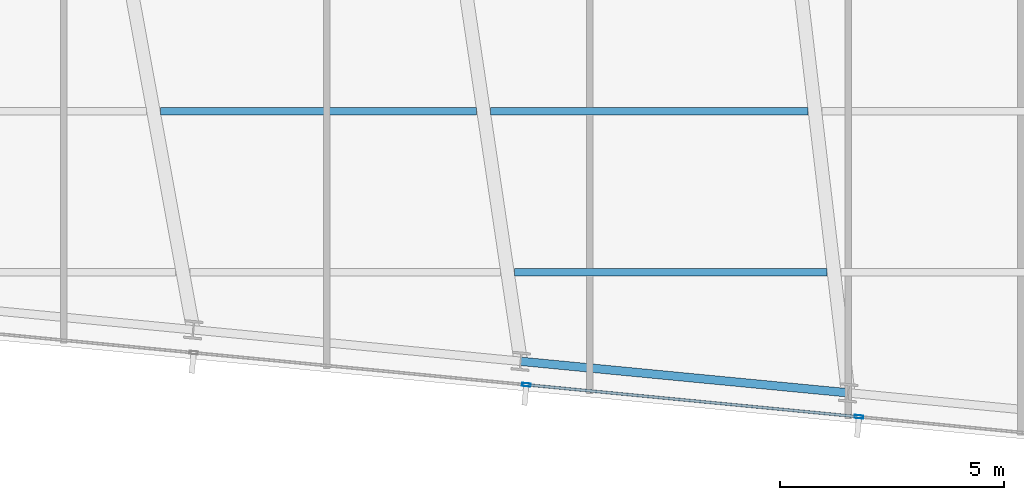
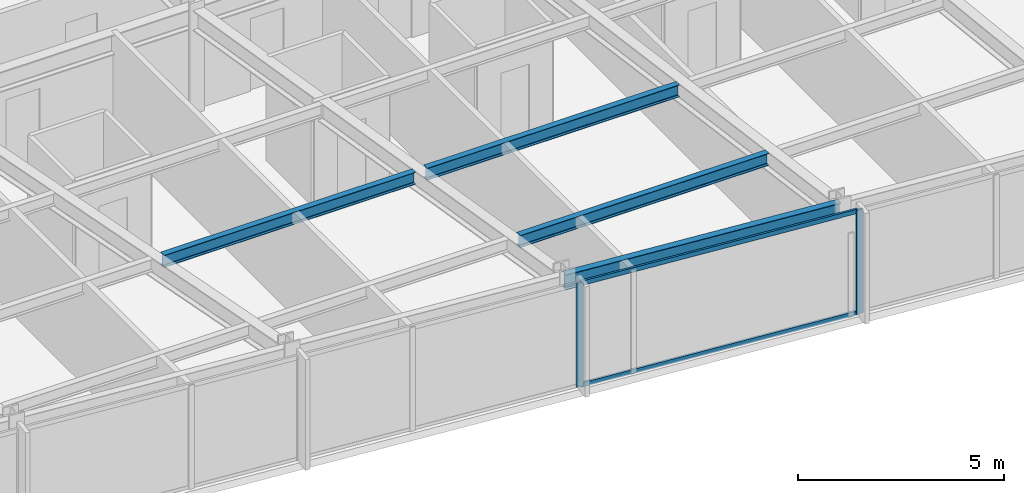
# One storey, part 12 of 38: 4 beams, 4 members, 1 element without a shape of its own.
"""IFC4 building model written with IfcOpenShell, lengths in metres."""

import ifcopenshell
import ifcopenshell.guid

model = None  # the IFC model being written
_history = None  # IfcOwnerHistory: only IFC2X3 demands one
_inside = {}  # id of a spatial element -> (the spatial element, [elements in it])
_under = {}  # id of a project, library or spatial element -> (it, [spatial elements below it])
_declared = {}  # id of a project -> (the project, [libraries it declares])
_typed = {}  # id of a type object -> (the type object, [elements of that type])
_made_of = {}  # id of a material, layer set ... -> (it, [elements and type objects made of it])


def new_model(schema):
    """Start an empty IFC model of exactly this schema.

    Asked for "IFC4X3", IfcOpenShell would pick the latest addendum, in which some entities
    have other attributes; the version numbers below select the first issue.
    IFC2X3 requires an IfcOwnerHistory on every rooted entity: one is made here for all.
    """
    global model, _history
    if schema == "IFC4X3":
        model = ifcopenshell.file(schema_version=(4, 3, 0, 0))
    else:
        model = ifcopenshell.file(schema=schema)
    _inside.clear()
    _under.clear()
    _declared.clear()
    _typed.clear()
    _made_of.clear()
    _history = None
    if model.schema == "IFC2X3":
        org = make("IfcOrganization", Name="unknown")
        user = make(
            "IfcPersonAndOrganization",
            ThePerson=make("IfcPerson", FamilyName="unknown"),
            TheOrganization=org,
        )
        app = make(
            "IfcApplication",
            ApplicationDeveloper=org,
            Version="unknown",
            ApplicationFullName="unknown",
            ApplicationIdentifier="unknown",
        )
        _history = make(
            "IfcOwnerHistory",
            OwningUser=user,
            OwningApplication=app,
            ChangeAction="ADDED",
            CreationDate=0,
        )
    return model


def make(cls, **values):
    """One entity of the class cls with the attributes given. An attribute that is None is left unset."""
    return model.create_entity(
        cls, **{name: value for name, value in values.items() if value is not None}
    )


def rooted(cls, **values):
    """An entity with a GlobalId (a new one), such as an element, a storey or a relation."""
    return make(cls, GlobalId=ifcopenshell.guid.new(), OwnerHistory=_history, **values)


def si_unit(unit_type, name, prefix=None):
    """IfcSIUnit, for example si_unit("LENGTHUNIT", "METRE", prefix="MILLI")."""
    return make("IfcSIUnit", UnitType=unit_type, Prefix=prefix, Name=name)


def assignment(units):
    """IfcUnitAssignment: the units of a project."""
    return None if units is None else make("IfcUnitAssignment", Units=units)


def point(xyz):
    """IfcCartesianPoint."""
    return None if xyz is None else make("IfcCartesianPoint", Coordinates=xyz)


def direction(xyz):
    """IfcDirection."""
    return None if xyz is None else make("IfcDirection", DirectionRatios=xyz)


def frame(location, z_axis=None, x_axis=None):
    """IfcAxis2Placement3D, a coordinate frame: its origin and axes. An axis left out is left unset."""
    return make(
        "IfcAxis2Placement3D",
        Location=point(location),
        Axis=direction(z_axis),
        RefDirection=direction(x_axis),
    )


def frame_2d(location, x_axis=None):
    """IfcAxis2Placement2D, a coordinate frame in the plane: its origin and x axis."""
    return make(
        "IfcAxis2Placement2D", Location=point(location), RefDirection=direction(x_axis)
    )


def origin():
    """The frame at (0, 0, 0) with its axes left unset."""
    return frame((0.0, 0.0, 0.0))


def origin_2d():
    """The frame at (0, 0) in the plane with its x axis left unset."""
    return frame_2d((0.0, 0.0))


def place(relative_to, where):
    """IfcLocalPlacement: puts the frame where relative to a parent placement (None: the world)."""
    return make(
        "IfcLocalPlacement", PlacementRelTo=relative_to, RelativePlacement=where
    )


def context(
    kind, dimensions, precision=None, world=None, true_north=None, identifier=None
):
    """IfcGeometricRepresentationContext, for example the 3D "Model" context."""
    return make(
        "IfcGeometricRepresentationContext",
        ContextIdentifier=identifier,
        ContextType=kind,
        CoordinateSpaceDimension=dimensions,
        Precision=precision,
        WorldCoordinateSystem=world,
        TrueNorth=true_north,
    )


def subcontext(parent, identifier, kind, view, scale=None):
    """IfcGeometricRepresentationSubContext, for example "Body" below "Model"."""
    return make(
        "IfcGeometricRepresentationSubContext",
        ContextIdentifier=identifier,
        ContextType=kind,
        ParentContext=parent,
        TargetScale=scale,
        TargetView=view,
    )


def project(units=None, contexts=None):
    """IfcProject with its units and contexts."""
    return rooted(
        "IfcProject",
        Name="project",
        RepresentationContexts=contexts,
        UnitsInContext=assignment(units),
    )


def spatial(cls, under=None, at=None, **own):
    """A site, building, storey or space (cls), placed at a placement, below another one or the project."""
    s = rooted(cls, ObjectPlacement=at, **own)
    if under is not None:
        _under.setdefault(under.id(), (under, []))[1].append(s)
    return s


def profile(cls, at=None, kind="AREA", **sizes):
    """A parametric profile (cls). Its sizes go by their IFC names, for example OverallWidth=200.0."""
    return make(cls, ProfileType=kind, Position=at, **sizes)


def hollow_rectangle(**sizes):
    """IfcRectangleHollowProfileDef."""
    return profile("IfcRectangleHollowProfileDef", **sizes)


def i_section(**sizes):
    """IfcIShapeProfileDef."""
    return profile("IfcIShapeProfileDef", **sizes)


def extrude(swept, where, along, depth):
    """IfcExtrudedAreaSolid: the profile swept, set in the frame where, extruded along a direction by depth."""
    return make(
        "IfcExtrudedAreaSolid",
        SweptArea=swept,
        Position=where,
        ExtrudedDirection=direction(along),
        Depth=depth,
    )


def shape(context_of_items, identifier, shape_type, items):
    """IfcShapeRepresentation: the items that make up one representation, for example the "Body"."""
    return make(
        "IfcShapeRepresentation",
        ContextOfItems=context_of_items,
        RepresentationIdentifier=identifier,
        RepresentationType=shape_type,
        Items=items,
    )


def material(Name=None, Category=None):
    """IfcMaterial."""
    return make("IfcMaterial", Name=Name, Category=Category)


def material_profile(
    of_material, cross_section, Name=None, Category=None, Priority=None
):
    """IfcMaterialProfile: a cross section and its material."""
    return make(
        "IfcMaterialProfile",
        Name=Name,
        Material=of_material,
        Profile=cross_section,
        Priority=Priority,
        Category=Category,
    )


def profile_set(profiles, Name=None, composite=None):
    """IfcMaterialProfileSet."""
    return make(
        "IfcMaterialProfileSet",
        Name=Name,
        MaterialProfiles=profiles,
        CompositeProfile=composite,
    )


def made_of(thing, what):
    """Note that an element or type object is made of a material, layer set ...; save() writes the relation."""
    if what is not None:
        _made_of.setdefault(what.id(), (what, []))[1].append(thing)
    return thing


def type_object(cls, material=None, **own):
    """A type object (cls), such as IfcWallType, which elements share."""
    return made_of(rooted(cls, **own), material)


def element(
    cls,
    number,
    at=None,
    inside=None,
    cuts=None,
    type_object=None,
    material=None,
    context=None,
    identifier="Body",
    shape_type=None,
    held_by="IfcProductDefinitionShape",
    body=None,
    shapes=None,
    **own,
):
    """One element of the class cls, such as IfcWall. Its Tag is "e" and its number.

    at: its placement. inside: the storey or other place that contains it. cuts: it is an
    opening in that element (IfcRelVoidsElement). A single representation is given by context,
    identifier, shape_type and body (its items); several are given by shapes. held_by: the class
    of the entity that holds the representations. save() writes the other relations.
    """
    e = rooted(cls, Tag="e%d" % number, ObjectPlacement=at, **own)
    if body is not None:
        shapes = [shape(context, identifier, shape_type, body)]
    if shapes is not None:
        e.Representation = make(held_by, Representations=shapes)
    if inside is not None:
        _inside.setdefault(inside.id(), (inside, []))[1].append(e)
    if cuts is not None:
        rooted(
            "IfcRelVoidsElement", RelatingBuildingElement=cuts, RelatedOpeningElement=e
        )
    if type_object is not None:
        _typed.setdefault(type_object.id(), (type_object, []))[1].append(e)
    return made_of(e, material)


def aggregate(whole, parts):
    """IfcRelAggregates: a whole, such as a stair, and the parts it consists of."""
    return rooted("IfcRelAggregates", RelatingObject=whole, RelatedObjects=parts)


def save(model, path):
    """Write the relations noted so far, then the file.

    IfcRelAggregates (storeys below a building ...), IfcRelContainedInSpatialStructure (elements
    in a storey), IfcRelDefinesByType, IfcRelAssociatesMaterial and IfcRelDeclares: one each for
    every whole, place, type object, material and project.
    """
    for whole, parts in _under.values():
        aggregate(whole, parts)
    for where, things in _inside.values():
        rooted(
            "IfcRelContainedInSpatialStructure",
            RelatedElements=things,
            RelatingStructure=where,
        )
    for kind, things in _typed.values():
        rooted("IfcRelDefinesByType", RelatedObjects=things, RelatingType=kind)
    for what, things in _made_of.values():
        rooted("IfcRelAssociatesMaterial", RelatedObjects=things, RelatingMaterial=what)
    for by, libraries in _declared.values():
        rooted("IfcRelDeclares", RelatingContext=by, RelatedDefinitions=libraries)
    model.write(path)


model = new_model("IFC4")

# Units and contexts
model_context = context("Model", 3, precision=1e-05, world=origin(), true_north=direction((0.0, 1.0)))
body_context = subcontext(model_context, "Body", "Model", "MODEL_VIEW")
ifc_project = project(units=[si_unit("LENGTHUNIT", "METRE"), si_unit("AREAUNIT", "SQUARE_METRE"), si_unit("VOLUMEUNIT", "CUBIC_METRE"), si_unit("PLANEANGLEUNIT", "RADIAN"), si_unit("MASSUNIT", "GRAM", prefix="KILO")], contexts=[model_context])

# Site, building, storey
site_placement = place(None, origin())
site = spatial("IfcSite", under=ifc_project, at=site_placement, CompositionType="ELEMENT")
building_placement = place(site_placement, origin())
building = spatial("IfcBuilding", under=site, at=building_placement, Name="Yelkora Congress Tower", CompositionType="ELEMENT")
storey_placement = place(building_placement, frame((0.0, 0.0, 155.60009765625)))
storey = spatial("IfcBuildingStorey", under=building, at=storey_placement, Name="L42", CompositionType="ELEMENT", Elevation=155.60009765625)

# Beams
ifc_material_1 = material(Name="Steel S355J2", Category="steel")
ifc_material_profile_1 = material_profile(ifc_material_1, i_section(OverallWidth=0.169921875, OverallDepth=0.360107421875, WebThickness=0.008056640625, FlangeThickness=0.0126953125, FilletRadius=0.01806640625, at=origin_2d()), Name="IPE 360")
ifc_profile_set_1 = profile_set([ifc_material_profile_1], Name="Steel S355J2")
beam_type_1 = type_object("IfcBeamType", Name="BM-JOIST-IPE360", PredefinedType="JOIST", material=ifc_profile_set_1)
beam_1_placement = place(storey_placement, frame((40.39990234375, 12.8212890625, 2.89990234375), z_axis=(1.0, 0.0, 0.0), x_axis=(0.0, 1.0, 0.0)))
element("IfcBeam", 1, at=beam_1_placement, inside=storey, type_object=beam_type_1, Name="L42 Composite Floor Joist 3", PredefinedType="JOIST", context=body_context, shape_type="SweptSolid", body=[
    extrude(i_section(OverallWidth=0.169921875, OverallDepth=0.360107421875, WebThickness=0.008056640625, FlangeThickness=0.0126953125, FilletRadius=0.01806640625, at=origin_2d()), origin(), (0.0, 0.0, 1.0), 6.98095703125),
])
beam_2_placement = place(storey_placement, frame((32.481201171875, 16.421142578125, 2.89990234375), z_axis=(1.0, 0.0, 0.0), x_axis=(0.0, 1.0, 0.0)))
element("IfcBeam", 2, at=beam_2_placement, inside=storey, type_object=beam_type_1, Name="L42 Composite Floor Joist 9", PredefinedType="JOIST", context=body_context, shape_type="SweptSolid", body=[
    extrude(i_section(OverallWidth=0.169921875, OverallDepth=0.360107421875, WebThickness=0.008056640625, FlangeThickness=0.0126953125, FilletRadius=0.01806640625, at=origin_2d()), origin(), (0.0, 0.0, 1.0), 7.063720703125),
])
beam_3_placement = place(storey_placement, frame((39.86474609375, 16.421142578125, 2.89990234375), z_axis=(1.0, 0.0, 0.0), x_axis=(0.0, 1.0, 0.0)))
element("IfcBeam", 3, at=beam_3_placement, inside=storey, type_object=beam_type_1, Name="L42 Composite Floor Joist 10", PredefinedType="JOIST", context=body_context, shape_type="SweptSolid", body=[
    extrude(i_section(OverallWidth=0.169921875, OverallDepth=0.360107421875, WebThickness=0.008056640625, FlangeThickness=0.0126953125, FilletRadius=0.01806640625, at=origin_2d()), origin(), (0.0, 0.0, 1.0), 7.09130859375),
])
ifc_material_profile_2 = material_profile(ifc_material_1, i_section(OverallWidth=0.18994140625, OverallDepth=0.449951171875, WebThickness=0.009521484375, FlangeThickness=0.0146484375, FilletRadius=0.02099609375, at=origin_2d()), Name="IPE 450")
ifc_profile_set_2 = profile_set([ifc_material_profile_2], Name="Steel S355J2")
beam_type_2 = type_object("IfcBeamType", Name="BM-SPAN-IPE450", PredefinedType="SPANDREL", material=ifc_profile_set_2)
beam_4_placement = place(storey_placement, frame((40.53564453125, 10.83154296875, 2.85498046875), z_axis=(0.995397104697, -0.095836339457, 0.0), x_axis=(0.095836339457, 0.995397104697, 0.0)))
element("IfcBeam", 4, at=beam_4_placement, inside=storey, type_object=beam_type_2, Name="L42 Perimeter Beam 7", PredefinedType="SPANDREL", context=body_context, shape_type="SweptSolid", body=[
    extrude(i_section(OverallWidth=0.18994140625, OverallDepth=0.449951171875, WebThickness=0.009521484375, FlangeThickness=0.0146484375, FilletRadius=0.02099609375, at=origin_2d()), origin(), (0.0, 0.0, 1.0), 7.357177734375),
])

# Curtain wall, members
ifc_material_2 = material(Name="Anodised aluminium and insulated glass", Category="aluminium")
curtain_wall_type = type_object("IfcCurtainWallType", Name="CW-SYS-B3", PredefinedType="NOTDEFINED", material=ifc_material_2)
curtain_wall_placement = place(storey_placement, origin())
curtain_wall = element("IfcCurtainWall", 5, at=curtain_wall_placement, inside=storey, type_object=curtain_wall_type, Name="L42 Unitised Curtain Wall 20", PredefinedType="NOTDEFINED")
ifc_material_3 = material(Name="Anodised aluminium 6063-T6", Category="aluminium")
ifc_material_profile_3 = material_profile(ifc_material_3, hollow_rectangle(XDim=0.070068359375, YDim=0.18994140625, WallThickness=0.00390625, at=origin_2d()), Name="ALU 70x190x4")
ifc_profile_set_3 = profile_set([ifc_material_profile_3], Name="Anodised aluminium 6063-T6")
member_type_1 = type_object("IfcMemberType", Name="MEM-ML-B3", PredefinedType="MULLION", material=ifc_profile_set_3)
member_1_placement = place(storey_placement, frame((48.1015625, 9.590576171875, 0.0), z_axis=(0.0, 0.0, 1.0), x_axis=(-0.095844680679, -0.995396301573, 0.0)))
member_1 = element("IfcMember", 6, at=member_1_placement, type_object=member_type_1, Name="CW-B3 mullion 2", PredefinedType="MULLION", context=body_context, shape_type="SweptSolid", body=[
    extrude(hollow_rectangle(XDim=0.070068359375, YDim=0.18994140625, WallThickness=0.00390625, at=origin_2d()), origin(), (0.0, 0.0, 1.0), 3.079833984375),
])
member_2_placement = place(storey_placement, frame((40.66162109375, 10.30712890625, 0.0), z_axis=(0.0, 0.0, 1.0), x_axis=(-0.095844680679, -0.995396301573, 0.0)))
member_2 = element("IfcMember", 7, at=member_2_placement, type_object=member_type_1, Name="CW-B3 mullion 3", PredefinedType="MULLION", context=body_context, shape_type="SweptSolid", body=[
    extrude(hollow_rectangle(XDim=0.070068359375, YDim=0.18994140625, WallThickness=0.00390625, at=origin_2d()), origin(), (0.0, 0.0, 1.0), 3.079833984375),
])
ifc_material_profile_4 = material_profile(ifc_material_3, hollow_rectangle(XDim=0.06005859375, YDim=0.1298828125, WallThickness=0.00390625, at=origin_2d()), Name="ALU 60x130x4")
ifc_profile_set_4 = profile_set([ifc_material_profile_4], Name="Anodised aluminium 6063-T6")
member_type_2 = type_object("IfcMemberType", Name="MEM-TR-B3", PredefinedType="USERDEFINED", material=ifc_profile_set_4)
member_3_placement = place(storey_placement, frame((48.066650390625, 9.593994140625, 0.02978515625), z_axis=(-0.99539548672, 0.095853142967, 0.0), x_axis=(-0.095853142967, -0.99539548672, 0.0)))
member_3 = element("IfcMember", 8, at=member_3_placement, type_object=member_type_2, Name="CW-B3 transom 2.1", ObjectType="TRANSOM", PredefinedType="USERDEFINED", context=body_context, shape_type="SweptSolid", body=[
    extrude(hollow_rectangle(XDim=0.06005859375, YDim=0.1298828125, WallThickness=0.00390625, at=origin_2d()), origin(), (0.0, 0.0, 1.0), 7.404296875),
])
member_4_placement = place(storey_placement, frame((48.066650390625, 9.593994140625, 3.0498046875), z_axis=(-0.99539548672, 0.095853142967, 0.0), x_axis=(-0.095853142967, -0.99539548672, 0.0)))
member_4 = element("IfcMember", 9, at=member_4_placement, type_object=member_type_2, Name="CW-B3 transom 2.2", ObjectType="TRANSOM", PredefinedType="USERDEFINED", context=body_context, shape_type="SweptSolid", body=[
    extrude(hollow_rectangle(XDim=0.06005859375, YDim=0.1298828125, WallThickness=0.00390625, at=origin_2d()), origin(), (0.0, 0.0, 1.0), 7.404296875),
])
aggregate(curtain_wall, [member_1, member_2, member_3, member_4])

save(model, "model.ifc")
